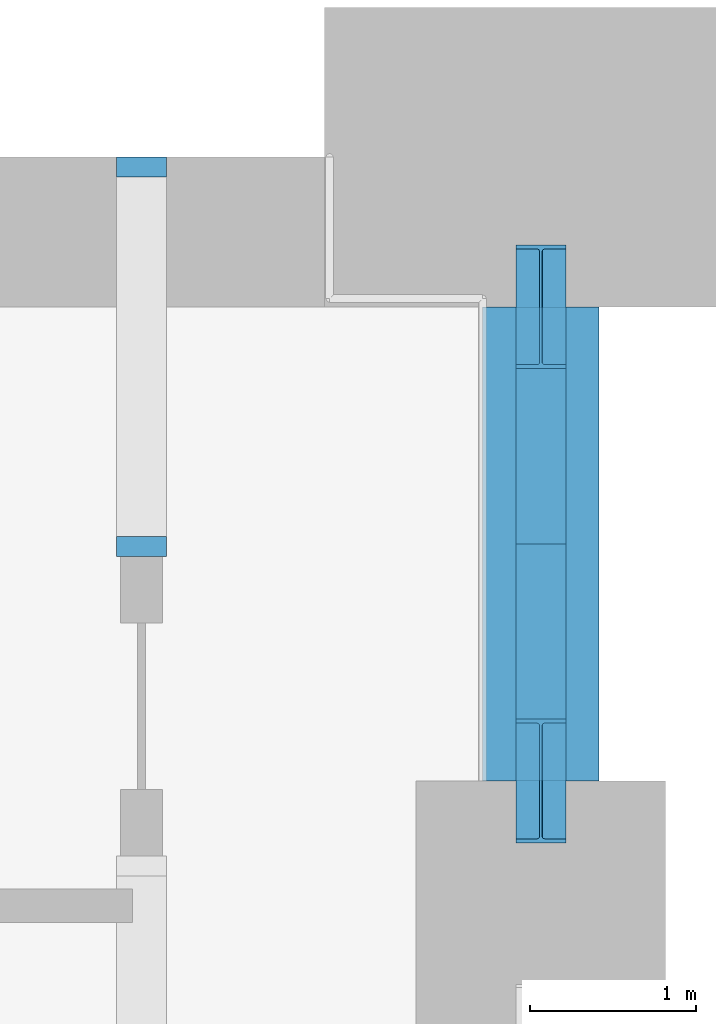
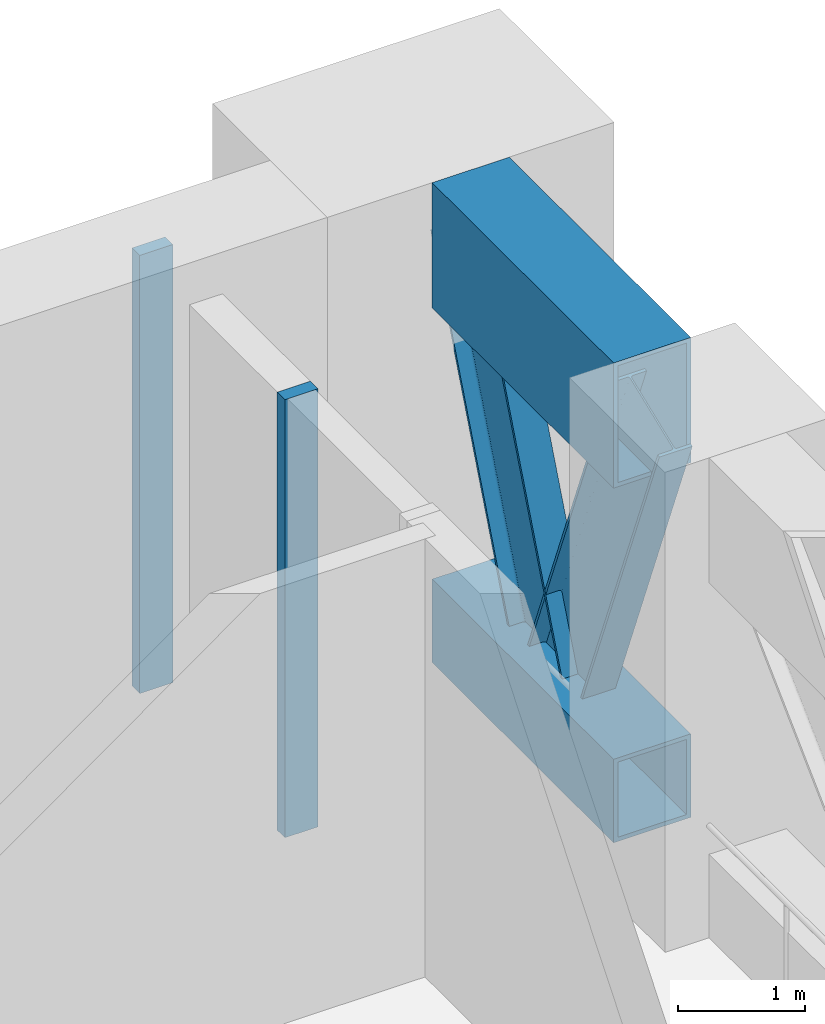
# One storey, part 6 of 31: 6 members.
"""IFC4 building model written with IfcOpenShell, lengths in metres."""

from ifc_helpers import new_model, si_unit, direction, frame, origin, origin_2d, place, context, subcontext, project, spatial, rectangle, hollow_rectangle, i_section, extrude, material, material_profile, profile_set, type_object, element, save


model = new_model("IFC4")

# Units and contexts
model_context = context("Model", 3, precision=1e-05, world=origin(), true_north=direction((0.0, 1.0)))
body_context = subcontext(model_context, "Body", "Model", "MODEL_VIEW")
ifc_project = project(units=[si_unit("LENGTHUNIT", "METRE"), si_unit("AREAUNIT", "SQUARE_METRE"), si_unit("VOLUMEUNIT", "CUBIC_METRE"), si_unit("PLANEANGLEUNIT", "RADIAN"), si_unit("MASSUNIT", "GRAM", prefix="KILO")], contexts=[model_context])

# Site, building, storey
site_placement = place(None, origin())
site = spatial("IfcSite", under=ifc_project, at=site_placement, CompositionType="ELEMENT")
building_placement = place(site_placement, origin())
building = spatial("IfcBuilding", under=site, at=building_placement, Name="Hunhe Ridgeline Campus", CompositionType="ELEMENT")
storey_placement = place(building_placement, frame((0.0, 0.0, 31.199951171875)))
storey = spatial("IfcBuildingStorey", under=building, at=storey_placement, Name="L06", CompositionType="ELEMENT", Elevation=31.199951171875)

# Members
ifc_material_1 = material(Name="Steel Q420", Category="steel")
ifc_material_profile_1 = material_profile(ifc_material_1, hollow_rectangle(XDim=0.699951171875, YDim=0.800048828125, WallThickness=0.0400390625, at=origin_2d()))
ifc_profile_set_1 = profile_set([ifc_material_profile_1], Name="Steel Q420")
member_type_1 = type_object("IfcMemberType", Name="Belt truss bottom chord Box 800x700x40 Steel Q420", PredefinedType="CHORD", material=ifc_profile_set_1)
member_1_placement = place(storey_placement, frame((99.0, 90.75, 0.400146484375), z_axis=(0.0, 1.0, 0.0), x_axis=(-1.0, 0.0, 0.0)))
element("IfcMember", 1, at=member_1_placement, inside=storey, type_object=member_type_1, Name="Belt truss BT1 bottom chord L06 94", PredefinedType="CHORD", context=body_context, shape_type="SweptSolid", body=[
    extrude(hollow_rectangle(XDim=0.699951171875, YDim=0.800048828125, WallThickness=0.0400390625, at=origin_2d()), origin(), (0.0, 0.0, 1.0), 2.85009765625),
])
ifc_material_profile_2 = material_profile(ifc_material_1, i_section(OverallWidth=0.300048828125, OverallDepth=0.800048828125, WebThickness=0.013916015625, FlangeThickness=0.02587890625, FilletRadius=0.01806640625, at=origin_2d()))
ifc_profile_set_2 = profile_set([ifc_material_profile_2], Name="Steel Q420")
member_type_2 = type_object("IfcMemberType", Name="Belt truss diagonal HN800x300x14x26 Steel Q420", PredefinedType="BRACE", material=ifc_profile_set_2)
for number, where, z_axis, x_axis, name in (
    (2, (99.0, 90.75, 4.0), (0.0, 0.368072301896, -0.929797171741), (-1.0, 0.0, 0.0), "Belt truss BT1 diagonal L06 95"),
    (3, (99.0, 92.175048828125, 0.400146484375), (0.0, 0.368072301896, 0.929797171741), (-1.0, 0.0, 0.0), "Belt truss BT1 diagonal L06 96"),
):
    element("IfcMember", number, at=place(storey_placement, frame(where, z_axis=z_axis, x_axis=x_axis)), inside=storey, type_object=member_type_2, Name=name, PredefinedType="BRACE", context=body_context, shape_type="SweptSolid", body=[
        extrude(i_section(OverallWidth=0.300048828125, OverallDepth=0.800048828125, WebThickness=0.013916015625, FlangeThickness=0.02587890625, FilletRadius=0.01806640625, at=origin_2d()), origin(), (0.0, 0.0, 1.0), 3.87158203125),
    ])
ifc_material_profile_3 = material_profile(ifc_material_1, hollow_rectangle(XDim=0.699951171875, YDim=1.199951171875, WallThickness=0.0400390625, at=origin_2d()))
ifc_profile_set_3 = profile_set([ifc_material_profile_3], Name="Steel Q420")
member_type_3 = type_object("IfcMemberType", Name="Belt truss top chord Box 1200x700x40 Steel Q420", PredefinedType="CHORD", material=ifc_profile_set_3)
member_2_placement = place(storey_placement, frame((99.0, 90.75, 4.0), z_axis=(0.0, 1.0, 0.0), x_axis=(-1.0, 0.0, 0.0)))
element("IfcMember", 4, at=member_2_placement, inside=storey, type_object=member_type_3, Name="Belt truss BT1 top chord L06 93", PredefinedType="CHORD", context=body_context, shape_type="SweptSolid", body=[
    extrude(hollow_rectangle(XDim=0.699951171875, YDim=1.199951171875, WallThickness=0.0400390625, at=origin_2d()), origin(), (0.0, 0.0, 1.0), 2.85009765625),
])
ifc_material_2 = material(Name="Aluminium 6063", Category="aluminium")
ifc_material_profile_4 = material_profile(ifc_material_2, rectangle(XDim=0.300048828125, YDim=0.1201171875, at=origin_2d()))
ifc_profile_set_4 = profile_set([ifc_material_profile_4], Name="Aluminium 6063")
member_type_4 = type_object("IfcMemberType", Name="Louvre frame jamb 120x300 Aluminium 6063", PredefinedType="USERDEFINED", material=ifc_profile_set_4)
for number, where, z_axis, x_axis, name in (
    (5, (96.59912109375, 92.16015625, 0.0), (0.0, 0.0, 1.0), (-1.0, 0.0, 0.0), "Louvre frame jamb 31a"),
    (6, (96.59912109375, 94.43994140625, 0.0), (0.0, 0.0, 1.0), (-1.0, 0.0, 0.0), "Louvre frame jamb 31b"),
):
    element("IfcMember", number, at=place(storey_placement, frame(where, z_axis=z_axis, x_axis=x_axis)), inside=storey, type_object=member_type_4, Name=name, ObjectType="LOUVRE FRAME", PredefinedType="USERDEFINED", context=body_context, shape_type="SweptSolid", body=[
        extrude(rectangle(XDim=0.300048828125, YDim=0.1201171875, at=origin_2d()), origin(), (0.0, 0.0, 1.0), 4.199951171875),
    ])

save(model, "model.ifc")
